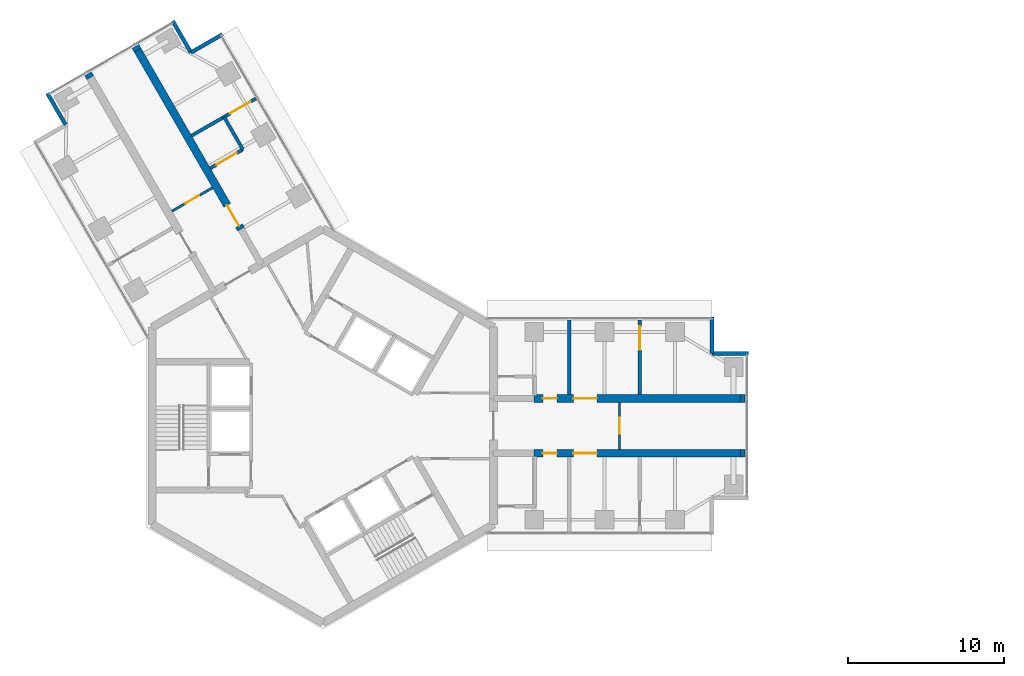
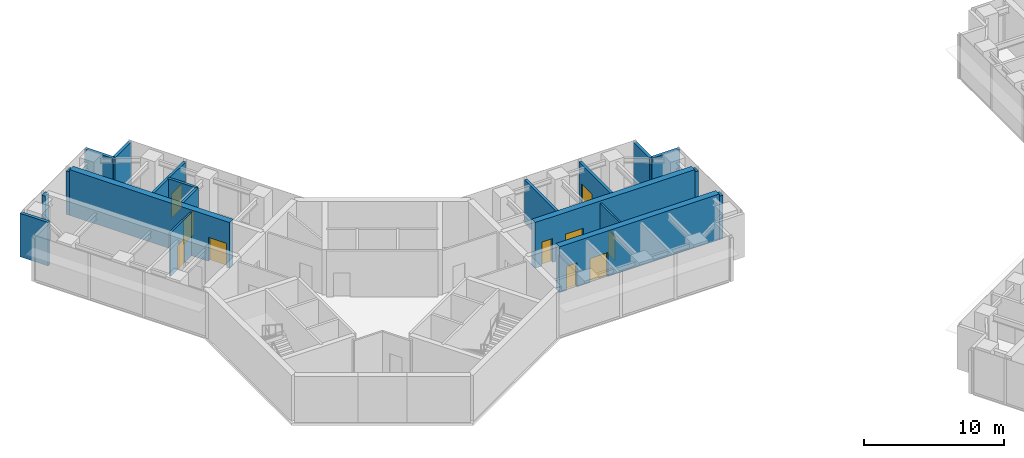
# One storey, part 13 of 17: 19 walls, 10 doors, 10 openings.
"""IFC4 building model written with IfcOpenShell, lengths in metres."""

from ifc_helpers import new_model, si_unit, direction, frame, frame_2d, origin, place, context, subcontext, project, spatial, rectangle, extrude, material, layer, layer_set, type_object, element, fill, save


model = new_model("IFC4")

# Units and contexts
model_context = context("Model", 3, precision=1e-05, world=origin(), true_north=direction((0.0, 1.0)))
body_context = subcontext(model_context, "Body", "Model", "MODEL_VIEW")
ifc_project = project(units=[si_unit("LENGTHUNIT", "METRE"), si_unit("AREAUNIT", "SQUARE_METRE"), si_unit("VOLUMEUNIT", "CUBIC_METRE"), si_unit("PLANEANGLEUNIT", "RADIAN"), si_unit("MASSUNIT", "GRAM", prefix="KILO")], contexts=[model_context])

# Site, building, storey
site_placement = place(None, origin())
site = spatial("IfcSite", under=ifc_project, at=site_placement, CompositionType="ELEMENT")
building_placement = place(site_placement, origin())
building = spatial("IfcBuilding", under=site, at=building_placement, Name="Upepo Twin Towers", CompositionType="ELEMENT")
storey_placement = place(building_placement, frame((0.0, 0.0, 190.5)))
storey = spatial("IfcBuildingStorey", under=building, at=storey_placement, Name="L46", CompositionType="ELEMENT", Elevation=190.5)

# Wall
ifc_material_1 = material(Name="Concrete blockwork, plastered both faces", Category="masonry")
ifc_layer_1 = layer(ifc_material_1, 0.215087890625)
ifc_layer_set_1 = layer_set([ifc_layer_1], Name="Blockwork partition 215")
wall_type_1 = type_object("IfcWallType", Name="Blockwork partition 215", PredefinedType="PARTITIONING", material=ifc_layer_set_1)
wall_1_placement = place(storey_placement, frame((15.75, 2.0, 0.0), z_axis=(0.0, 0.0, 1.0), x_axis=(0.0, 1.0, 0.0)))
element("IfcWall", 1, at=wall_1_placement, inside=storey, type_object=wall_type_1, Name="T1 partition AL at 15.75", PredefinedType="PARTITIONING", context=body_context, shape_type="SweptSolid", body=[
    extrude(rectangle(XDim=4.75, YDim=0.215087890625, at=frame_2d((2.375, 0.0))), origin(), (0.0, 0.0, 1.0), 3.800048828125),
])

# Wall, opening, door
wall_2_placement = place(storey_placement, frame((20.25, 2.0, 0.0), z_axis=(0.0, 0.0, 1.0), x_axis=(0.0, 1.0, 0.0)))
wall_2 = element("IfcWall", 2, at=wall_2_placement, inside=storey, type_object=wall_type_1, Name="T1 partition AL at 20.25", PredefinedType="PARTITIONING", context=body_context, shape_type="SweptSolid", body=[
    extrude(rectangle(XDim=4.75, YDim=0.215087890625, at=frame_2d((2.375, 0.0))), origin(), (0.0, 0.0, 1.0), 3.800048828125),
])
opening_1_placement = place(wall_2_placement, frame((2.85009765625, 0.0, 0.0)))
opening_1 = element("IfcOpeningElement", 3, at=opening_1_placement, cuts=wall_2, Name="Opening D13", PredefinedType="OPENING", context=body_context, shape_type="SweptSolid", body=[
    extrude(rectangle(XDim=1.5, YDim=2.10009765625, at=frame_2d((0.75, 1.050048828125))), frame((0.0, 0.117431640625, 0.0), z_axis=(0.0, -1.0, 0.0), x_axis=(1.0, 0.0, 0.0)), (0.0, 0.0, 1.0), 0.235107421875),
])
ifc_material_2 = material(Name="Timber doorset", Category="wood")
door_type_1 = type_object("IfcDoorType", Name="Double door 1500 FD30", OperationType="DOUBLE_DOOR_SINGLE_SWING", PredefinedType="DOOR", material=ifc_material_2)
door_1_placement = place(opening_1_placement, origin())
door_1 = element("IfcDoor", 4, at=door_1_placement, inside=storey, type_object=door_type_1, Name="T1 L46 connecting door", OperationType="DOUBLE_DOOR_SINGLE_SWING", OverallHeight=2.10009765625, OverallWidth=1.5, PredefinedType="DOOR", context=body_context, shape_type="SweptSolid", body=[
    extrude(rectangle(XDim=1.5, YDim=2.10009765625, at=frame_2d((0.75, 1.050048828125))), frame((0.0, 0.02490234375, 0.0), z_axis=(0.0, -1.0, 0.0), x_axis=(1.0, 0.0, 0.0)), (0.0, 0.0, 1.0), 0.050048828125),
])
fill(opening_1, door_1)

wall_3_placement = place(storey_placement, frame((-8.39306640625, 18.537109375, 0.0), z_axis=(0.0, 0.0, 1.0), x_axis=(0.866033238375, 0.499986429846, 0.0)))
wall_3 = element("IfcWall", 5, at=wall_3_placement, inside=storey, type_object=wall_type_1, Name="T1 partition BR at 20.25", PredefinedType="PARTITIONING", context=body_context, shape_type="SweptSolid", body=[
    extrude(rectangle(XDim=4.750244140625, YDim=0.215087890625, at=frame_2d((2.375, 0.0))), origin(), (0.0, 0.0, 1.0), 3.800048828125),
])
opening_2_placement = place(wall_3_placement, frame((2.85009765625, 0.0, 0.0)))
opening_2 = element("IfcOpeningElement", 6, at=opening_2_placement, cuts=wall_3, Name="Opening D13", PredefinedType="OPENING", context=body_context, shape_type="SweptSolid", body=[
    extrude(rectangle(XDim=1.5, YDim=2.10009765625, at=frame_2d((0.75, 1.050048828125))), frame((0.0, 0.117431640625, 0.0), z_axis=(0.0, -1.0, 0.0), x_axis=(1.0, 0.0, 0.0)), (0.0, 0.0, 1.0), 0.235107421875),
])
door_2_placement = place(opening_2_placement, origin())
door_2 = element("IfcDoor", 7, at=door_2_placement, inside=storey, type_object=door_type_1, Name="T1 L46 connecting door", OperationType="DOUBLE_DOOR_SINGLE_SWING", OverallHeight=2.10009765625, OverallWidth=1.5, PredefinedType="DOOR", context=body_context, shape_type="SweptSolid", body=[
    extrude(rectangle(XDim=1.5, YDim=2.10009765625, at=frame_2d((0.75, 1.050048828125))), frame((0.0, 0.02490234375, 0.0), z_axis=(0.0, -1.0, 0.0), x_axis=(1.0, 0.0, 0.0)), (0.0, 0.0, 1.0), 0.050048828125),
])
fill(opening_2, door_2)

# Wall
wall_4_placement = place(storey_placement, frame((-5.114501953125, 17.658447265625, 0.0), z_axis=(0.0, 0.0, 1.0), x_axis=(-0.499957262057, 0.866050077142, 0.0)))
element("IfcWall", 8, at=wall_4_placement, inside=storey, type_object=wall_type_1, Name="T1 inner room partition BR at 17.85", PredefinedType="PARTITIONING", context=body_context, shape_type="SweptSolid", body=[
    extrude(rectangle(XDim=2.400146484375, YDim=0.215087890625, at=frame_2d((1.2001953125, 0.0))), origin(), (0.0, 0.0, 1.0), 3.800048828125),
])

# Wall, opening, door
wall_5_placement = place(storey_placement, frame((-7.19287109375, 16.45849609375, 0.0), z_axis=(0.0, 0.0, 1.0), x_axis=(0.866024647952, 0.500001309137, 0.0)))
wall_5 = element("IfcWall", 9, at=wall_5_placement, inside=storey, type_object=wall_type_1, Name="T1 inner room partition BR end at 17.85", PredefinedType="PARTITIONING", context=body_context, shape_type="SweptSolid", body=[
    extrude(rectangle(XDim=2.39990234375, YDim=0.215087890625, at=frame_2d((1.199951171875, 0.0))), origin(), (0.0, 0.0, 1.0), 3.800048828125),
])
opening_3_placement = place(wall_5_placement, frame((0.449951171875, 0.0, 0.0)))
opening_3 = element("IfcOpeningElement", 10, at=opening_3_placement, cuts=wall_5, Name="Opening D13", PredefinedType="OPENING", context=body_context, shape_type="SweptSolid", body=[
    extrude(rectangle(XDim=1.5, YDim=2.10009765625, at=frame_2d((0.75, 1.050048828125))), frame((0.0, 0.117431640625, 0.0), z_axis=(0.0, -1.0, 0.0), x_axis=(1.0, 0.0, 0.0)), (0.0, 0.0, 1.0), 0.235107421875),
])
door_3_placement = place(opening_3_placement, origin())
door_3 = element("IfcDoor", 11, at=door_3_placement, inside=storey, type_object=door_type_1, Name="T1 L46 inner room door", OperationType="DOUBLE_DOOR_SINGLE_SWING", OverallHeight=2.10009765625, OverallWidth=1.5, PredefinedType="DOOR", context=body_context, shape_type="SweptSolid", body=[
    extrude(rectangle(XDim=1.5, YDim=2.10009765625, at=frame_2d((0.75, 1.050048828125))), frame((0.0, 0.02490234375, 0.0), z_axis=(0.0, -1.0, 0.0), x_axis=(1.0, 0.0, 0.0)), (0.0, 0.0, 1.0), 0.050048828125),
])
fill(opening_3, door_3)

# Walls
ifc_material_3 = material(Name="Dense concrete blockwork", Category="masonry")
ifc_layer_2 = layer(ifc_material_3, 0.5)
ifc_layer_set_2 = layer_set([ifc_layer_2], Name="Buttress closer 500, blockwork with fire-stopping to the curtain wall")
wall_type_2 = type_object("IfcWallType", Name="Buttress closer 500, blockwork with fire-stopping to the curtain wall", PredefinedType="PARTITIONING", material=ifc_layer_set_2)
for number, where, z_axis, x_axis, name in (
    (12, (26.699951171875, 1.75, 0.0), (0.0, 0.0, 1.0), (1.0, 0.0, 0.0), "T1 L46 wing A buttress closer L"),
    (13, (26.699951171875, -1.75, 0.0), (0.0, 0.0, 1.0), (1.0, 0.0, 0.0), "T1 L46 wing A buttress closer R"),
    (14, (-14.865478515625, 22.247802734375, 0.0), (0.0, 0.0, 1.0), (-0.500065409566, 0.86598763626, 0.0), "T1 L46 wing B buttress closer L"),
    (15, (-11.83447265625, 23.997802734375, 0.0), (0.0, 0.0, 1.0), (-0.500065409566, 0.86598763626, 0.0), "T1 L46 wing B buttress closer R"),
):
    element("IfcWall", number, at=place(storey_placement, frame(where, z_axis=z_axis, x_axis=x_axis)), inside=storey, type_object=wall_type_2, Name=name, PredefinedType="PARTITIONING", context=body_context, shape_type="SweptSolid", body=[
        extrude(rectangle(XDim=0.28759765625, YDim=0.5, at=frame_2d((0.143798828125, 0.0))), origin(), (0.0, 0.0, 1.0), 3.800048828125),
    ])

# Wall, openings, doors
ifc_material_4 = material(Name="Concrete C60/75", Category="concrete")
ifc_layer_3 = layer(ifc_material_4, 0.5)
ifc_layer_set_3 = layer_set([ifc_layer_3], Name="Concrete C60/75")
wall_type_3 = type_object("IfcWallType", Name="Buttress wall 500 RC", PredefinedType="SHEAR", material=ifc_layer_set_3)
wall_6_placement = place(storey_placement, frame((13.5, 1.75, 0.0), z_axis=(0.0, 0.0, 1.0), x_axis=(1.0, 0.0, 0.0)))
wall_6 = element("IfcWall", 16, at=wall_6_placement, inside=storey, type_object=wall_type_3, Name="T1 wing A buttress wall L part 2", PredefinedType="SHEAR", context=body_context, shape_type="SweptSolid", body=[
    extrude(rectangle(XDim=13.199951171875, YDim=0.5, at=frame_2d((6.60009765625, 0.0))), origin(), (0.0, 0.0, 1.0), 4.0),
])
opening_4_placement = place(wall_6_placement, frame((0.550048828125, 0.0, 0.0)))
opening_4 = element("IfcOpeningElement", 17, at=opening_4_placement, cuts=wall_6, Name="Opening D11", PredefinedType="OPENING", context=body_context, shape_type="SweptSolid", body=[
    extrude(rectangle(XDim=0.89990234375, YDim=2.10009765625, at=frame_2d((0.449951171875, 1.050048828125))), frame((0.0, 0.260009765625, 0.0), z_axis=(0.0, -1.0, 0.0), x_axis=(1.0, 0.0, 0.0)), (0.0, 0.0, 1.0), 0.52001953125),
])
opening_5_placement = place(wall_6_placement, frame((2.5, 0.0, 0.0)))
opening_5 = element("IfcOpeningElement", 18, at=opening_5_placement, cuts=wall_6, Name="Opening D13", PredefinedType="OPENING", context=body_context, shape_type="SweptSolid", body=[
    extrude(rectangle(XDim=1.5, YDim=2.10009765625, at=frame_2d((0.75, 1.050048828125))), frame((0.0, 0.260009765625, 0.0), z_axis=(0.0, -1.0, 0.0), x_axis=(1.0, 0.0, 0.0)), (0.0, 0.0, 1.0), 0.52001953125),
])
door_4_placement = place(opening_5_placement, origin())
door_4 = element("IfcDoor", 19, at=door_4_placement, inside=storey, type_object=door_type_1, Name="T1 L46 instrument room door", OperationType="DOUBLE_DOOR_SINGLE_SWING", OverallHeight=2.10009765625, OverallWidth=1.5, PredefinedType="DOOR", context=body_context, shape_type="SweptSolid", body=[
    extrude(rectangle(XDim=1.5, YDim=2.10009765625, at=frame_2d((0.75, 1.050048828125))), frame((0.0, 0.02490234375, 0.0), z_axis=(0.0, -1.0, 0.0), x_axis=(1.0, 0.0, 0.0)), (0.0, 0.0, 1.0), 0.050048828125),
])
fill(opening_5, door_4)
ifc_material_5 = material(Name="Timber doorset", Category="wood")
door_type_2 = type_object("IfcDoorType", Name="Toilet door 900", OperationType="SINGLE_SWING_LEFT", PredefinedType="DOOR", material=ifc_material_5)
door_5_placement = place(opening_4_placement, origin())
door_5 = element("IfcDoor", 20, at=door_5_placement, inside=storey, type_object=door_type_2, Name="T1 L46 toilets door", OperationType="SINGLE_SWING_LEFT", OverallHeight=2.10009765625, OverallWidth=0.89990234375, PredefinedType="DOOR", context=body_context, shape_type="SweptSolid", body=[
    extrude(rectangle(XDim=0.89990234375, YDim=2.10009765625, at=frame_2d((0.449951171875, 1.050048828125))), frame((0.0, 0.02490234375, 0.0), z_axis=(0.0, -1.0, 0.0), x_axis=(1.0, 0.0, 0.0)), (0.0, 0.0, 1.0), 0.050048828125),
])
fill(opening_4, door_5)

wall_7_placement = place(storey_placement, frame((13.5, -1.75, 0.0), z_axis=(0.0, 0.0, 1.0), x_axis=(1.0, 0.0, 0.0)))
wall_7 = element("IfcWall", 21, at=wall_7_placement, inside=storey, type_object=wall_type_3, Name="T1 wing A buttress wall R part 2", PredefinedType="SHEAR", context=body_context, shape_type="SweptSolid", body=[
    extrude(rectangle(XDim=13.199951171875, YDim=0.5, at=frame_2d((6.60009765625, 0.0))), origin(), (0.0, 0.0, 1.0), 4.0),
])
opening_6_placement = place(wall_7_placement, frame((0.550048828125, 0.0, 0.0)))
opening_6 = element("IfcOpeningElement", 22, at=opening_6_placement, cuts=wall_7, Name="Opening D11", PredefinedType="OPENING", context=body_context, shape_type="SweptSolid", body=[
    extrude(rectangle(XDim=0.89990234375, YDim=2.10009765625, at=frame_2d((0.449951171875, 1.050048828125))), frame((0.0, 0.260009765625, 0.0), z_axis=(0.0, -1.0, 0.0), x_axis=(1.0, 0.0, 0.0)), (0.0, 0.0, 1.0), 0.52001953125),
])
opening_7_placement = place(wall_7_placement, frame((2.5, 0.0, 0.0)))
opening_7 = element("IfcOpeningElement", 23, at=opening_7_placement, cuts=wall_7, Name="Opening D13", PredefinedType="OPENING", context=body_context, shape_type="SweptSolid", body=[
    extrude(rectangle(XDim=1.5, YDim=2.10009765625, at=frame_2d((0.75, 1.050048828125))), frame((0.0, 0.260009765625, 0.0), z_axis=(0.0, -1.0, 0.0), x_axis=(1.0, 0.0, 0.0)), (0.0, 0.0, 1.0), 0.52001953125),
])
door_6_placement = place(opening_7_placement, origin())
door_6 = element("IfcDoor", 24, at=door_6_placement, inside=storey, type_object=door_type_1, Name="T1 L46 laboratory prep room door", OperationType="DOUBLE_DOOR_SINGLE_SWING", OverallHeight=2.10009765625, OverallWidth=1.5, PredefinedType="DOOR", context=body_context, shape_type="SweptSolid", body=[
    extrude(rectangle(XDim=1.5, YDim=2.10009765625, at=frame_2d((0.75, 1.050048828125))), frame((0.0, 0.02490234375, 0.0), z_axis=(0.0, -1.0, 0.0), x_axis=(1.0, 0.0, 0.0)), (0.0, 0.0, 1.0), 0.050048828125),
])
fill(opening_7, door_6)
door_7_placement = place(opening_6_placement, origin())
door_7 = element("IfcDoor", 25, at=door_7_placement, inside=storey, type_object=door_type_2, Name="T1 L46 accessible wc door", OperationType="SINGLE_SWING_LEFT", OverallHeight=2.10009765625, OverallWidth=0.89990234375, PredefinedType="DOOR", context=body_context, shape_type="SweptSolid", body=[
    extrude(rectangle(XDim=0.89990234375, YDim=2.10009765625, at=frame_2d((0.449951171875, 1.050048828125))), frame((0.0, 0.02490234375, 0.0), z_axis=(0.0, -1.0, 0.0), x_axis=(1.0, 0.0, 0.0)), (0.0, 0.0, 1.0), 0.050048828125),
])
fill(opening_6, door_7)

# Wall, opening, door
wall_8_placement = place(storey_placement, frame((-5.234375, 12.56640625, 0.0), z_axis=(0.0, 0.0, 1.0), x_axis=(-0.500010103361, 0.866019570528, 0.0)))
wall_8 = element("IfcWall", 26, at=wall_8_placement, inside=storey, type_object=wall_type_3, Name="T1 wing B buttress wall R part 2", PredefinedType="SHEAR", context=body_context, shape_type="SweptSolid", body=[
    extrude(rectangle(XDim=13.199951171875, YDim=0.5, at=frame_2d((6.60009765625, 0.0))), origin(), (0.0, 0.0, 1.0), 4.0),
])
opening_8_placement = place(wall_8_placement, frame((0.25, 0.0, 0.0)))
opening_8 = element("IfcOpeningElement", 27, at=opening_8_placement, cuts=wall_8, Name="Opening D13", PredefinedType="OPENING", context=body_context, shape_type="SweptSolid", body=[
    extrude(rectangle(XDim=1.5, YDim=2.10009765625, at=frame_2d((0.75, 1.050048828125))), frame((0.0, 0.260009765625, 0.0), z_axis=(0.0, -1.0, 0.0), x_axis=(1.0, 0.0, 0.0)), (0.0, 0.0, 1.0), 0.52001953125),
])
door_8_placement = place(opening_8_placement, origin())
door_8 = element("IfcDoor", 28, at=door_8_placement, inside=storey, type_object=door_type_1, Name="T1 L46 engineering laboratory door", OperationType="DOUBLE_DOOR_SINGLE_SWING", OverallHeight=2.10009765625, OverallWidth=1.5, PredefinedType="DOOR", context=body_context, shape_type="SweptSolid", body=[
    extrude(rectangle(XDim=1.5, YDim=2.10009765625, at=frame_2d((0.75, 1.050048828125))), frame((0.0, 0.02490234375, 0.0), z_axis=(0.0, -1.0, 0.0), x_axis=(1.0, 0.0, 0.0)), (0.0, 0.0, 1.0), 0.050048828125),
])
fill(opening_8, door_8)

# Walls
ifc_material_6 = material(Name="Blockwork with anodised aluminium cladding", Category="masonry")
ifc_layer_4 = layer(ifc_material_6, 0.25)
ifc_layer_set_4 = layer_set([ifc_layer_4], Name="Notch cladding wall 250, pale metal")
wall_type_4 = type_object("IfcWallType", Name="Notch cladding wall 250, pale metal", PredefinedType="STANDARD", material=ifc_layer_set_4)
for number, where, z_axis, x_axis, name in (
    (29, (24.875, 6.949951171875, 0.0), (0.0, 0.0, 1.0), (0.0, -1.0, 0.0), "T1 L46 wing A notch wall L1"),
    (30, (24.875, 4.625, 0.0), (0.0, 0.0, 1.0), (1.0, 0.0, 0.0), "T1 L46 wing A notch wall L2"),
    (31, (-16.44287109375, 19.22998046875, 0.0), (0.0, 0.0, 1.0), (-0.500046648681, 0.865998469481, 0.0), "T1 L46 wing B notch wall L2"),
    (32, (-6.418701171875, 25.017333984375, 0.0), (0.0, 0.0, 1.0), (-0.866043940782, -0.499967891604, 0.0), "T1 L46 wing B notch wall R1"),
    (33, (-8.43212890625, 23.85498046875, 0.0), (0.0, 0.0, 1.0), (-0.500046648681, 0.865998469481, 0.0), "T1 L46 wing B notch wall R2"),
):
    element("IfcWall", number, at=place(storey_placement, frame(where, z_axis=z_axis, x_axis=x_axis)), inside=storey, type_object=wall_type_4, Name=name, PredefinedType="STANDARD", context=body_context, shape_type="SweptSolid", body=[
        extrude(rectangle(XDim=2.324951171875, YDim=0.25, at=frame_2d((1.16259765625, 0.0))), origin(), (0.0, 0.0, 1.0), 3.800048828125),
    ])

# Wall, opening, door
ifc_material_7 = material(Name="Gypsum board on steel studs", Category="steel")
ifc_layer_5 = layer(ifc_material_7, 0.14990234375)
ifc_layer_set_5 = layer_set([ifc_layer_5], Name="Teaching partition 150 acoustic")
wall_type_5 = type_object("IfcWallType", Name="Teaching partition 150 acoustic", PredefinedType="PARTITIONING", material=ifc_layer_set_5)
wall_9_placement = place(storey_placement, frame((18.949951171875, -1.5, 0.0), z_axis=(0.0, 0.0, 1.0), x_axis=(0.0, 1.0, 0.0)))
wall_9 = element("IfcWall", 34, at=wall_9_placement, inside=storey, type_object=wall_type_5, Name="T1 corridor end partition A at 18.95", PredefinedType="PARTITIONING", context=body_context, shape_type="SweptSolid", body=[
    extrude(rectangle(XDim=3.0, YDim=0.14990234375, at=frame_2d((1.5, 0.0))), origin(), (0.0, 0.0, 1.0), 3.800048828125),
])
opening_9_placement = place(wall_9_placement, frame((1.0, 0.0, 0.0)))
opening_9 = element("IfcOpeningElement", 35, at=opening_9_placement, cuts=wall_9, Name="Opening D1", PredefinedType="OPENING", context=body_context, shape_type="SweptSolid", body=[
    extrude(rectangle(XDim=1.0, YDim=2.10009765625, at=frame_2d((0.5, 1.050048828125))), frame((0.0, 0.0849609375, 0.0), z_axis=(0.0, -1.0, 0.0), x_axis=(1.0, 0.0, 0.0)), (0.0, 0.0, 1.0), 0.169921875),
])
ifc_material_8 = material(Name="Timber doorset", Category="wood")
door_type_3 = type_object("IfcDoorType", Name="Room door 1000 FD30", OperationType="SINGLE_SWING_LEFT", PredefinedType="DOOR", material=ifc_material_8)
door_9_placement = place(opening_9_placement, origin())
door_9 = element("IfcDoor", 36, at=door_9_placement, inside=storey, type_object=door_type_3, Name="T1 L46 breakout study room door", OperationType="SINGLE_SWING_LEFT", OverallHeight=2.10009765625, OverallWidth=1.0, PredefinedType="DOOR", context=body_context, shape_type="SweptSolid", body=[
    extrude(rectangle(XDim=1.0, YDim=2.10009765625, at=frame_2d((0.5, 1.050048828125))), frame((0.0, 0.02490234375, 0.0), z_axis=(0.0, -1.0, 0.0), x_axis=(1.0, 0.0, 0.0)), (0.0, 0.0, 1.0), 0.050048828125),
])
fill(opening_9, door_9)

wall_10_placement = place(storey_placement, frame((-7.051025390625, 15.212646484375, 0.0), z_axis=(0.0, 0.0, 1.0), x_axis=(-0.866010750942, -0.50002537861, 0.0)))
wall_10 = element("IfcWall", 37, at=wall_10_placement, inside=storey, type_object=wall_type_5, Name="T1 corridor end partition B at 16.70", PredefinedType="PARTITIONING", context=body_context, shape_type="SweptSolid", body=[
    extrude(rectangle(XDim=2.999755859375, YDim=0.14990234375, at=frame_2d((1.5, 0.0))), origin(), (0.0, 0.0, 1.0), 3.800048828125),
])
opening_10_placement = place(wall_10_placement, frame((1.0, 0.0, 0.0)))
opening_10 = element("IfcOpeningElement", 38, at=opening_10_placement, cuts=wall_10, Name="Opening D1", PredefinedType="OPENING", context=body_context, shape_type="SweptSolid", body=[
    extrude(rectangle(XDim=1.0, YDim=2.10009765625, at=frame_2d((0.5, 1.050048828125))), frame((0.0, 0.0849609375, 0.0), z_axis=(0.0, -1.0, 0.0), x_axis=(1.0, 0.0, 0.0)), (0.0, 0.0, 1.0), 0.169921875),
])
door_10_placement = place(opening_10_placement, origin())
door_10 = element("IfcDoor", 39, at=door_10_placement, inside=storey, type_object=door_type_3, Name="T1 L46 breakout study room door", OperationType="SINGLE_SWING_RIGHT", OverallHeight=2.10009765625, OverallWidth=1.0, PredefinedType="DOOR", context=body_context, shape_type="SweptSolid", body=[
    extrude(rectangle(XDim=1.0, YDim=2.10009765625, at=frame_2d((0.5, 1.050048828125))), frame((0.0, 0.02490234375, 0.0), z_axis=(0.0, -1.0, 0.0), x_axis=(1.0, 0.0, 0.0)), (0.0, 0.0, 1.0), 0.050048828125),
])
fill(opening_10, door_10)

save(model, "model.ifc")
